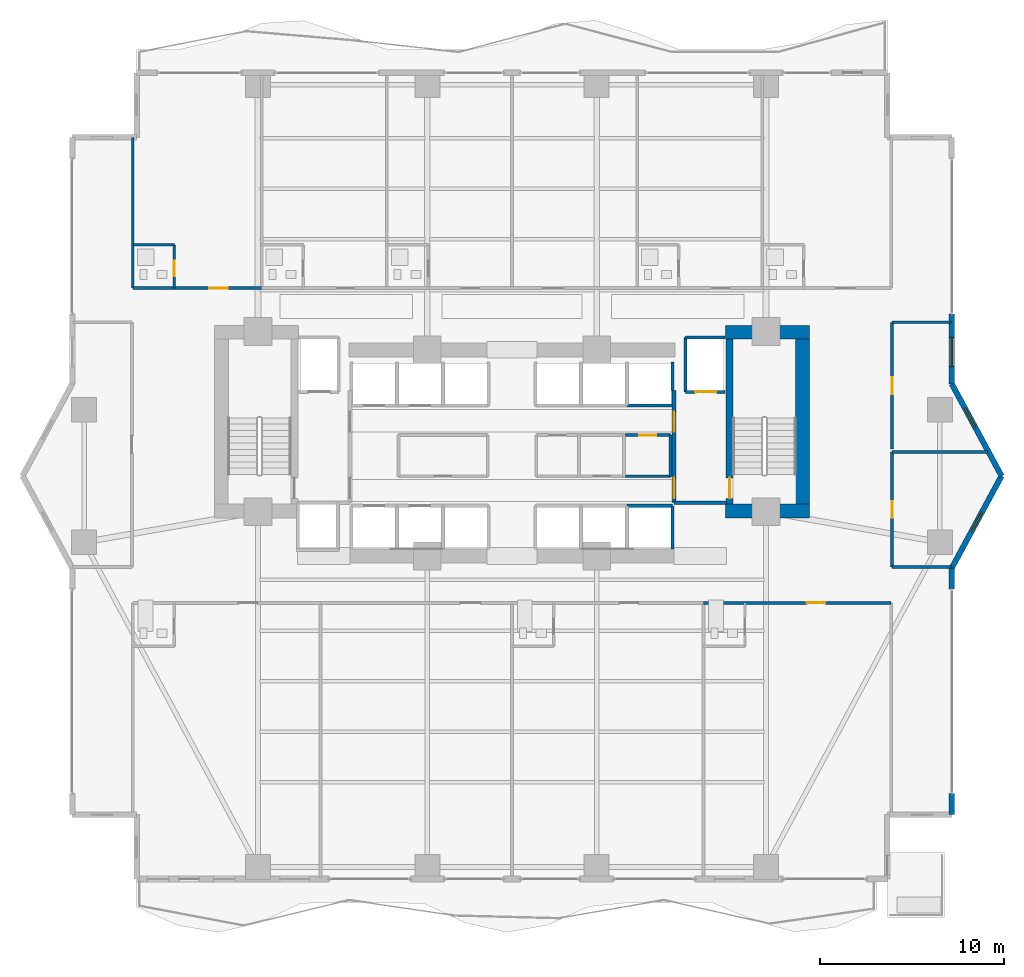
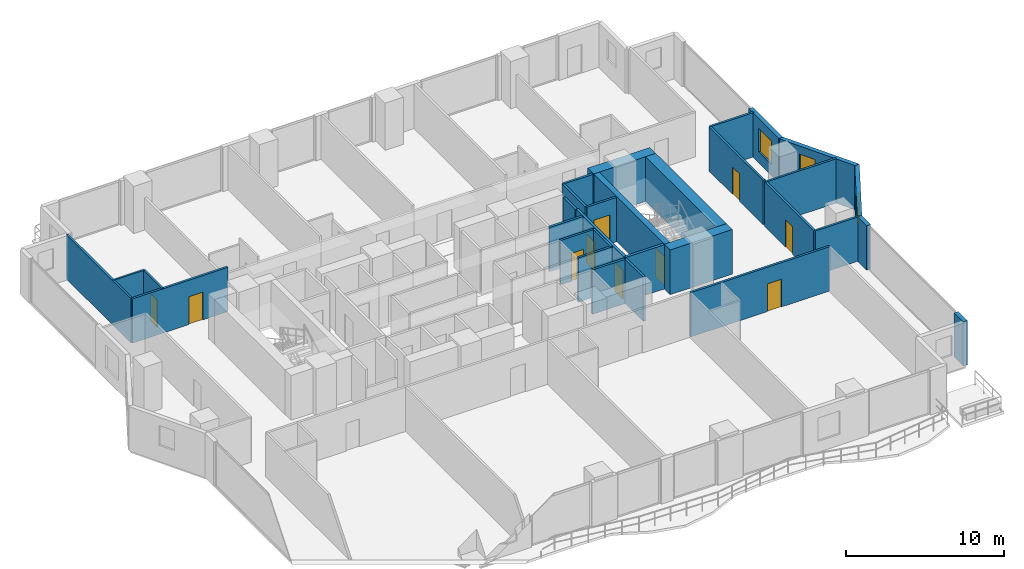
# One storey, part 23 of 30: 31 walls, 10 doors, 3 windows, 13 openings.
"""IFC4 building model written with IfcOpenShell, lengths in metres."""

from ifc_helpers import new_model, si_unit, direction, frame, frame_2d, origin, place, context, subcontext, project, spatial, rectangle, extrude, material, layer, layer_set, type_object, element, fill, save


model = new_model("IFC4")

# Units and contexts
model_context = context("Model", 3, precision=1e-05, world=origin(), true_north=direction((0.0, 1.0)))
body_context = subcontext(model_context, "Body", "Model", "MODEL_VIEW")
ifc_project = project(units=[si_unit("LENGTHUNIT", "METRE"), si_unit("AREAUNIT", "SQUARE_METRE"), si_unit("VOLUMEUNIT", "CUBIC_METRE"), si_unit("PLANEANGLEUNIT", "RADIAN"), si_unit("MASSUNIT", "GRAM", prefix="KILO")], contexts=[model_context])

# Site, building, storey
site_placement = place(None, origin())
site = spatial("IfcSite", under=ifc_project, at=site_placement, CompositionType="ELEMENT")
building_placement = place(site_placement, origin())
building = spatial("IfcBuilding", under=site, at=building_placement, Name="Zuhayl Quay Hotel", CompositionType="ELEMENT")
storey_placement = place(building_placement, frame((0.0, 0.0, 128.5)))
storey = spatial("IfcBuildingStorey", under=building, at=storey_placement, Name="L32", CompositionType="ELEMENT", Elevation=128.5)

# Walls
ifc_material_1 = material(Name="Concrete C60/75", Category="concrete")
ifc_layer_1 = layer(ifc_material_1, 0.75, Name="Concrete C60/75", Category="concrete")
ifc_layer_set_1 = layer_set([ifc_layer_1], Name="Concrete C60/75")
wall_type_1 = type_object("IfcWallType", Name="WL_CORE_750", PredefinedType="SHEAR", material=ifc_layer_set_1)
wall_1_placement = place(storey_placement, frame((11.60009765625, 14.304931640625, 0.0), z_axis=(0.0, 0.0, 1.0), x_axis=(1.0, 0.0, 0.0)))
element("IfcWall", 1, at=wall_1_placement, inside=storey, type_object=wall_type_1, Name="L32 Core Shear Wall CW_NE", PredefinedType="SHEAR", context=body_context, shape_type="SweptSolid", body=[
    extrude(rectangle(XDim=4.559814453125, YDim=0.75, at=frame_2d((2.27978515625, 0.0))), origin(), (0.0, 0.0, 1.0), 3.4599609375),
])
wall_2_placement = place(storey_placement, frame((15.784912109375, 4.969970703125, 0.0), z_axis=(0.0, 0.0, 1.0), x_axis=(0.0, 1.0, 0.0)))
element("IfcWall", 2, at=wall_2_placement, inside=storey, type_object=wall_type_1, Name="L32 Core Shear Wall CW_E", PredefinedType="SHEAR", context=body_context, shape_type="SweptSolid", body=[
    extrude(rectangle(XDim=8.9599609375, YDim=0.75, at=frame_2d((4.47998046875, 0.0))), origin(), (0.0, 0.0, 1.0), 3.4599609375),
])
wall_3_placement = place(storey_placement, frame((11.60009765625, 4.594970703125, 0.0), z_axis=(0.0, 0.0, 1.0), x_axis=(1.0, 0.0, 0.0)))
element("IfcWall", 3, at=wall_3_placement, inside=storey, type_object=wall_type_1, Name="L32 Core Shear Wall CW_SE", PredefinedType="SHEAR", context=body_context, shape_type="SweptSolid", body=[
    extrude(rectangle(XDim=4.559814453125, YDim=0.75, at=frame_2d((2.27978515625, 0.0))), origin(), (0.0, 0.0, 1.0), 3.4599609375),
])

# Wall, opening, window
ifc_material_2 = material(Name="Precast concrete C45/55", Category="concrete")
ifc_layer_2 = layer(ifc_material_2, 0.300048828125, Name="Precast concrete C45/55", Category="concrete")
ifc_layer_set_2 = layer_set([ifc_layer_2], Name="Precast concrete C45/55")
wall_type_2 = type_object("IfcWallType", Name="WL_EXT_300", PredefinedType="STANDARD", material=ifc_layer_set_2)
wall_4_placement = place(storey_placement, frame((23.89990234375, 15.300048828125, 0.0), z_axis=(0.0, 0.0, 1.0), x_axis=(0.0, -1.0, 0.0)))
wall_4 = element("IfcWall", 4, at=wall_4_placement, inside=storey, type_object=wall_type_2, Name="L32 Exterior Precast Wall ENV_L32_E11_EW2", PredefinedType="STANDARD", context=body_context, shape_type="SweptSolid", body=[
    extrude(rectangle(XDim=3.800048828125, YDim=0.300048828125, at=frame_2d((1.89990234375, 0.0))), origin(), (0.0, 0.0, 1.0), 3.429931640625),
])
opening_1_placement = place(wall_4_placement, frame((1.264892578125, 0.0, 0.85009765625)))
opening_1 = element("IfcOpeningElement", 5, at=opening_1_placement, cuts=wall_4, Name="Opening W01", PredefinedType="OPENING", context=body_context, shape_type="SweptSolid", body=[
    extrude(rectangle(XDim=1.60009765625, YDim=1.800048828125, at=frame_2d((0.800048828125, 0.89990234375))), frame((0.0, 0.159912109375, 0.0), z_axis=(0.0, -1.0, 0.0), x_axis=(1.0, 0.0, 0.0)), (0.0, 0.0, 1.0), 0.320068359375),
])
ifc_material_3 = material(Name="Dark Ceramic-Fritted Solar Glass", Category="glass")
window_type_1 = type_object("IfcWindowType", Name="WN_OPERABLE_1600", PartitioningType="DOUBLE_PANEL_VERTICAL", PredefinedType="WINDOW", material=ifc_material_3)
window_1_placement = place(opening_1_placement, origin())
window_1 = element("IfcWindow", 6, at=window_1_placement, inside=storey, type_object=window_type_1, Name="L32 Operable Facade Window 2-1", OverallHeight=1.800048828125, OverallWidth=1.60009765625, PartitioningType="SINGLE_PANEL", PredefinedType="WINDOW", context=body_context, shape_type="SweptSolid", body=[
    extrude(rectangle(XDim=1.60009765625, YDim=1.800048828125, at=frame_2d((0.800048828125, 0.89990234375))), frame((0.0, 0.030029296875, 0.0), z_axis=(0.0, -1.0, 0.0), x_axis=(1.0, 0.0, 0.0)), (0.0, 0.0, 1.0), 0.06005859375),
])
fill(opening_1, window_1)

wall_5_placement = place(storey_placement, frame((23.89990234375, 11.5, 0.0), z_axis=(0.0, 0.0, 1.0), x_axis=(0.475175525499, -0.879891027325, 0.0)))
wall_5 = element("IfcWall", 7, at=wall_5_placement, inside=storey, type_object=wall_type_2, Name="L32 Exterior Precast Wall ENV_L32_EW12", PredefinedType="STANDARD", context=body_context, shape_type="SweptSolid", body=[
    extrude(rectangle(XDim=5.6826171875, YDim=0.300048828125, at=frame_2d((2.84130859375, 0.0))), origin(), (0.0, 0.0, 1.0), 3.429931640625),
])
opening_2_placement = place(wall_5_placement, frame((1.503173828125, 0.0, 1.25)))
opening_2 = element("IfcOpeningElement", 8, at=opening_2_placement, cuts=wall_5, Name="Opening W01N", PredefinedType="OPENING", context=body_context, shape_type="SweptSolid", body=[
    extrude(rectangle(XDim=1.14990234375, YDim=1.550048828125, at=frame_2d((0.574951171875, 0.77490234375))), frame((0.0, 0.159912109375, 0.0), z_axis=(0.0, -1.0, 0.0), x_axis=(1.0, 0.0, 0.0)), (0.0, 0.0, 1.0), 0.320068359375),
])
window_type_2 = type_object("IfcWindowType", Name="WN_NOTCH_1350", PartitioningType="SINGLE_PANEL", PredefinedType="WINDOW", material=ifc_material_3)
window_2_placement = place(opening_2_placement, origin())
window_2 = element("IfcWindow", 9, at=window_2_placement, inside=storey, type_object=window_type_2, Name="L32 Corner Notch Window 12", OverallHeight=1.550048828125, OverallWidth=1.14990234375, PartitioningType="SINGLE_PANEL", PredefinedType="WINDOW", context=body_context, shape_type="SweptSolid", body=[
    extrude(rectangle(XDim=1.14990234375, YDim=1.550048828125, at=frame_2d((0.574951171875, 0.77490234375))), frame((0.0, 0.030029296875, 0.0), z_axis=(0.0, -1.0, 0.0), x_axis=(1.0, 0.0, 0.0)), (0.0, 0.0, 1.0), 0.06005859375),
])
fill(opening_2, window_2)

wall_6_placement = place(storey_placement, frame((26.60009765625, 6.5, 0.0), z_axis=(0.0, 0.0, 1.0), x_axis=(-0.475175525499, -0.879891027325, 0.0)))
wall_6 = element("IfcWall", 10, at=wall_6_placement, inside=storey, type_object=wall_type_2, Name="L32 Exterior Precast Wall ENV_L32_EW13", PredefinedType="STANDARD", context=body_context, shape_type="SweptSolid", body=[
    extrude(rectangle(XDim=5.6826171875, YDim=0.300048828125, at=frame_2d((2.84130859375, 0.0))), origin(), (0.0, 0.0, 1.0), 3.429931640625),
])
opening_3_placement = place(wall_6_placement, frame((2.2421875, 0.0, 1.25)))
opening_3 = element("IfcOpeningElement", 11, at=opening_3_placement, cuts=wall_6, Name="Opening W01N", PredefinedType="OPENING", context=body_context, shape_type="SweptSolid", body=[
    extrude(rectangle(XDim=1.14990234375, YDim=1.550048828125, at=frame_2d((0.574951171875, 0.77490234375))), frame((0.0, 0.159912109375, 0.0), z_axis=(0.0, -1.0, 0.0), x_axis=(1.0, 0.0, 0.0)), (0.0, 0.0, 1.0), 0.320068359375),
])
window_3_placement = place(opening_3_placement, origin())
window_3 = element("IfcWindow", 12, at=window_3_placement, inside=storey, type_object=window_type_2, Name="L32 Corner Notch Window 13", OverallHeight=1.550048828125, OverallWidth=1.14990234375, PartitioningType="SINGLE_PANEL", PredefinedType="WINDOW", context=body_context, shape_type="SweptSolid", body=[
    extrude(rectangle(XDim=1.14990234375, YDim=1.550048828125, at=frame_2d((0.574951171875, 0.77490234375))), frame((0.0, 0.030029296875, 0.0), z_axis=(0.0, -1.0, 0.0), x_axis=(1.0, 0.0, 0.0)), (0.0, 0.0, 1.0), 0.06005859375),
])
fill(opening_3, window_3)

# Walls
for number, where, z_axis, x_axis, name in (
    (13, (23.89990234375, 1.5, 0.0), (0.0, 0.0, 1.0), (0.0, -1.0, 0.0), "L32 Exterior Precast Wall ENV_L32_E14_EW1"),
    (14, (23.89990234375, -10.75, 0.0), (0.0, 0.0, 1.0), (0.0, -1.0, 0.0), "L32 Exterior Precast Wall ENV_L32_E14_EW2"),
):
    element("IfcWall", number, at=place(storey_placement, frame(where, z_axis=z_axis, x_axis=x_axis)), inside=storey, type_object=wall_type_2, Name=name, PredefinedType="STANDARD", context=body_context, shape_type="SweptSolid", body=[
        extrude(rectangle(XDim=1.14990234375, YDim=0.300048828125, at=frame_2d((0.574951171875, 0.0))), origin(), (0.0, 0.0, 1.0), 3.429931640625),
    ])

# Wall, opening, door
ifc_material_4 = material(Name="Acoustic Gypsum Partition STC-58")
ifc_layer_3 = layer(ifc_material_4, 0.14990234375, Name="Acoustic Gypsum Partition STC-58")
ifc_layer_set_3 = layer_set([ifc_layer_3], Name="Acoustic Gypsum Partition STC-58")
wall_type_3 = type_object("IfcWallType", Name="WL_PART_150", PredefinedType="PARTITIONING", material=ifc_layer_set_3)
wall_7_placement = place(storey_placement, frame((6.139892578125, 8.719970703125, 0.0), z_axis=(0.0, 0.0, 1.0), x_axis=(1.0, 0.0, 0.0)))
wall_7 = element("IfcWall", 15, at=wall_7_placement, inside=storey, type_object=wall_type_3, Name="L32 Partition IW_L32_CORE_E3_N", PredefinedType="PARTITIONING", context=body_context, shape_type="SweptSolid", body=[
    extrude(rectangle(XDim=2.47021484375, YDim=0.14990234375, at=frame_2d((1.235107421875, 0.0))), origin(), (0.0, 0.0, 1.0), 3.429931640625),
])
opening_4_placement = place(wall_7_placement, frame((0.784912109375, 0.0, 0.0)))
opening_4 = element("IfcOpeningElement", 16, at=opening_4_placement, cuts=wall_7, Name="Opening D06", PredefinedType="OPENING", context=body_context, shape_type="SweptSolid", body=[
    extrude(rectangle(XDim=0.89990234375, YDim=2.14990234375, at=frame_2d((0.449951171875, 1.074951171875))), frame((0.0, 0.0849609375, 0.0), z_axis=(0.0, -1.0, 0.0), x_axis=(1.0, 0.0, 0.0)), (0.0, 0.0, 1.0), 0.169921875),
])
ifc_material_5 = material(Name="Steel ASTM A992 Grade 50", Category="steel")
door_type_1 = type_object("IfcDoorType", Name="DR_INT_900", OperationType="NOTDEFINED", PredefinedType="DOOR", material=ifc_material_5)
door_1_placement = place(opening_4_placement, origin())
door_1 = element("IfcDoor", 17, at=door_1_placement, inside=storey, type_object=door_type_1, Name="L32 Janitor and Cleaners Store Door", OperationType="SINGLE_SWING_RIGHT", OverallHeight=2.14990234375, OverallWidth=0.89990234375, PredefinedType="DOOR", context=body_context, shape_type="SweptSolid", body=[
    extrude(rectangle(XDim=0.89990234375, YDim=2.14990234375, at=frame_2d((0.449951171875, 1.074951171875))), frame((0.0, 0.02490234375, 0.0), z_axis=(0.0, -1.0, 0.0), x_axis=(1.0, 0.0, 0.0)), (0.0, 0.0, 1.0), 0.050048828125),
])
fill(opening_4, door_1)

# Walls
wall_8_placement = place(storey_placement, frame((6.139892578125, 6.47998046875, 0.0), z_axis=(0.0, 0.0, 1.0), x_axis=(1.0, 0.0, 0.0)))
element("IfcWall", 18, at=wall_8_placement, inside=storey, type_object=wall_type_3, Name="L32 Partition IW_L32_CORE_E3_S", PredefinedType="PARTITIONING", context=body_context, shape_type="SweptSolid", body=[
    extrude(rectangle(XDim=2.47021484375, YDim=0.14990234375, at=frame_2d((1.235107421875, 0.0))), origin(), (0.0, 0.0, 1.0), 3.429931640625),
])
wall_9_placement = place(storey_placement, frame((8.610107421875, 6.47998046875, 0.0), z_axis=(0.0, 0.0, 1.0), x_axis=(0.0, 1.0, 0.0)))
element("IfcWall", 19, at=wall_9_placement, inside=storey, type_object=wall_type_3, Name="L32 Partition IW_L32_CORE_E3_E", PredefinedType="PARTITIONING", context=body_context, shape_type="SweptSolid", body=[
    extrude(rectangle(XDim=2.239990234375, YDim=0.14990234375, at=frame_2d((1.1201171875, 0.0))), origin(), (0.0, 0.0, 1.0), 3.429931640625),
])
wall_10_placement = place(storey_placement, frame((-20.60009765625, 16.699951171875, 0.0), z_axis=(0.0, 0.0, 1.0), x_axis=(0.0, 1.0, 0.0)))
element("IfcWall", 20, at=wall_10_placement, inside=storey, type_object=wall_type_3, Name="L32 Partition IW_L32_NU01_W", PredefinedType="PARTITIONING", context=body_context, shape_type="SweptSolid", body=[
    extrude(rectangle(XDim=8.199951171875, YDim=0.14990234375, at=frame_2d((4.10009765625, 0.0))), origin(), (0.0, 0.0, 1.0), 3.429931640625),
])
wall_11_placement = place(storey_placement, frame((20.64990234375, 1.550048828125, 0.0), z_axis=(0.0, 0.0, 1.0), x_axis=(1.0, 0.0, 0.0)))
element("IfcWall", 21, at=wall_11_placement, inside=storey, type_object=wall_type_3, Name="L32 Partition IW_L32_HK_MAIN_S", PredefinedType="PARTITIONING", context=body_context, shape_type="SweptSolid", body=[
    extrude(rectangle(XDim=3.217041015625, YDim=0.14990234375, at=frame_2d((1.6083984375, 0.0))), origin(), (0.0, 0.0, 1.0), 3.429931640625),
])
wall_12_placement = place(storey_placement, frame((20.64990234375, 7.800048828125, 0.0), z_axis=(0.0, 0.0, 1.0), x_axis=(1.0, 0.0, 0.0)))
element("IfcWall", 22, at=wall_12_placement, inside=storey, type_object=wall_type_3, Name="L32 Partition IW_L32_HK_MAIN_N", PredefinedType="PARTITIONING", context=body_context, shape_type="SweptSolid", body=[
    extrude(rectangle(XDim=5.18798828125, YDim=0.14990234375, at=frame_2d((2.593994140625, 0.0))), origin(), (0.0, 0.0, 1.0), 3.429931640625),
])
wall_13_placement = place(storey_placement, frame((20.64990234375, 14.85009765625, 0.0), z_axis=(0.0, 0.0, 1.0), x_axis=(1.0, 0.0, 0.0)))
element("IfcWall", 23, at=wall_13_placement, inside=storey, type_object=wall_type_3, Name="L32 Partition IW_L32_EFLK_2_N", PredefinedType="PARTITIONING", context=body_context, shape_type="SweptSolid", body=[
    extrude(rectangle(XDim=3.190185546875, YDim=0.14990234375, at=frame_2d((1.59521484375, 0.0))), origin(), (0.0, 0.0, 1.0), 3.429931640625),
])

# Wall, opening, door
ifc_layer_4 = layer(ifc_material_4, 0.159912109375, Name="Acoustic Gypsum Partition STC-58")
ifc_layer_set_4 = layer_set([ifc_layer_4], Name="Acoustic Gypsum Partition STC-58")
wall_type_4 = type_object("IfcWallType", Name="WL_PART_CORR_160", PredefinedType="PARTITIONING", material=ifc_layer_set_4)
wall_14_placement = place(storey_placement, frame((-20.60009765625, 16.699951171875, 0.0), z_axis=(0.0, 0.0, 1.0), x_axis=(1.0, 0.0, 0.0)))
wall_14 = element("IfcWall", 24, at=wall_14_placement, inside=storey, type_object=wall_type_4, Name="L32 Partition IW_L32_NU01_COR", PredefinedType="PARTITIONING", context=body_context, shape_type="SweptSolid", body=[
    extrude(rectangle(XDim=7.0, YDim=0.159912109375, at=frame_2d((3.5, 0.0))), origin(), (0.0, 0.0, 1.0), 3.429931640625),
])
opening_5_placement = place(wall_14_placement, frame((4.14990234375, 0.0, 0.0)))
opening_5 = element("IfcOpeningElement", 25, at=opening_5_placement, cuts=wall_14, Name="Opening D03L", PredefinedType="OPENING", context=body_context, shape_type="SweptSolid", body=[
    extrude(rectangle(XDim=1.0, YDim=2.14990234375, at=frame_2d((0.5, 1.074951171875))), frame((0.0, 0.08984375, 0.0), z_axis=(0.0, -1.0, 0.0), x_axis=(1.0, 0.0, 0.0)), (0.0, 0.0, 1.0), 0.179931640625),
])
ifc_material_6 = material(Name="Solid Walnut Acoustic Fire Door")
door_type_2 = type_object("IfcDoorType", Name="DR_SUITE_1000", OperationType="NOTDEFINED", PredefinedType="DOOR", material=ifc_material_6)
door_2_placement = place(opening_5_placement, origin())
door_2 = element("IfcDoor", 26, at=door_2_placement, inside=storey, type_object=door_type_2, Name="L32 Deluxe Gulf Junior Suite L32-01 Entrance Door", OperationType="SINGLE_SWING_RIGHT", OverallHeight=2.14990234375, OverallWidth=1.0, PredefinedType="DOOR", context=body_context, shape_type="SweptSolid", body=[
    extrude(rectangle(XDim=1.0, YDim=2.14990234375, at=frame_2d((0.5, 1.074951171875))), frame((0.0, 0.02490234375, 0.0), z_axis=(0.0, -1.0, 0.0), x_axis=(1.0, 0.0, 0.0)), (0.0, 0.0, 1.0), 0.050048828125),
])
fill(opening_5, door_2)

wall_15_placement = place(storey_placement, frame((10.39990234375, -0.39990234375, 0.0), z_axis=(0.0, 0.0, 1.0), x_axis=(1.0, 0.0, 0.0)))
wall_15 = element("IfcWall", 27, at=wall_15_placement, inside=storey, type_object=wall_type_4, Name="L32 Partition IW_L32_SU04_COR", PredefinedType="PARTITIONING", context=body_context, shape_type="SweptSolid", body=[
    extrude(rectangle(XDim=10.2001953125, YDim=0.159912109375, at=frame_2d((5.10009765625, 0.0))), origin(), (0.0, 0.0, 1.0), 3.429931640625),
])
opening_6_placement = place(wall_15_placement, frame((5.625, 0.0, 0.0)))
opening_6 = element("IfcOpeningElement", 28, at=opening_6_placement, cuts=wall_15, Name="Opening D03L", PredefinedType="OPENING", context=body_context, shape_type="SweptSolid", body=[
    extrude(rectangle(XDim=1.0, YDim=2.14990234375, at=frame_2d((0.5, 1.074951171875))), frame((0.0, 0.08984375, 0.0), z_axis=(0.0, -1.0, 0.0), x_axis=(1.0, 0.0, 0.0)), (0.0, 0.0, 1.0), 0.179931640625),
])
door_3_placement = place(opening_6_placement, origin())
door_3 = element("IfcDoor", 29, at=door_3_placement, inside=storey, type_object=door_type_2, Name="L32 City-View Junior Suite L32-04 Entrance Door", OperationType="SINGLE_SWING_RIGHT", OverallHeight=2.14990234375, OverallWidth=1.0, PredefinedType="DOOR", context=body_context, shape_type="SweptSolid", body=[
    extrude(rectangle(XDim=1.0, YDim=2.14990234375, at=frame_2d((0.5, 1.074951171875))), frame((0.0, 0.02490234375, 0.0), z_axis=(0.0, -1.0, 0.0), x_axis=(1.0, 0.0, 0.0)), (0.0, 0.0, 1.0), 0.050048828125),
])
fill(opening_6, door_3)

wall_16_placement = place(storey_placement, frame((20.64990234375, 1.550048828125, 0.0), z_axis=(0.0, 0.0, 1.0), x_axis=(0.0, 1.0, 0.0)))
wall_16 = element("IfcWall", 30, at=wall_16_placement, inside=storey, type_object=wall_type_4, Name="L32 Partition IW_L32_HK_MAIN_W", PredefinedType="PARTITIONING", context=body_context, shape_type="SweptSolid", body=[
    extrude(rectangle(XDim=6.25, YDim=0.159912109375, at=frame_2d((3.125, 0.0))), origin(), (0.0, 0.0, 1.0), 3.429931640625),
])
opening_7_placement = place(wall_16_placement, frame((2.6650390625, 0.0, 0.0)))
opening_7 = element("IfcOpeningElement", 31, at=opening_7_placement, cuts=wall_16, Name="Opening D05", PredefinedType="OPENING", context=body_context, shape_type="SweptSolid", body=[
    extrude(rectangle(XDim=0.919921875, YDim=2.1201171875, at=frame_2d((0.4599609375, 1.06005859375))), frame((0.0, 0.08984375, 0.0), z_axis=(0.0, -1.0, 0.0), x_axis=(1.0, 0.0, 0.0)), (0.0, 0.0, 1.0), 0.179931640625),
])
door_type_3 = type_object("IfcDoorType", Name="DR_INT_950", OperationType="NOTDEFINED", PredefinedType="DOOR", material=ifc_material_6)
door_4_placement = place(opening_7_placement, origin())
door_4 = element("IfcDoor", 32, at=door_4_placement, inside=storey, type_object=door_type_3, Name="L32 Housekeeping and Linen Room Door", OperationType="SINGLE_SWING_LEFT", OverallHeight=2.1201171875, OverallWidth=0.919921875, PredefinedType="DOOR", context=body_context, shape_type="SweptSolid", body=[
    extrude(rectangle(XDim=0.919921875, YDim=2.1201171875, at=frame_2d((0.4599609375, 1.06005859375))), frame((0.0, 0.02490234375, 0.0), z_axis=(0.0, -1.0, 0.0), x_axis=(1.0, 0.0, 0.0)), (0.0, 0.0, 1.0), 0.050048828125),
])
fill(opening_7, door_4)

wall_17_placement = place(storey_placement, frame((20.64990234375, 7.9599609375, 0.0), z_axis=(0.0, 0.0, 1.0), x_axis=(0.0, 1.0, 0.0)))
wall_17 = element("IfcWall", 33, at=wall_17_placement, inside=storey, type_object=wall_type_4, Name="L32 Partition IW_L32_EFLK_2_W", PredefinedType="PARTITIONING", context=body_context, shape_type="SweptSolid", body=[
    extrude(rectangle(XDim=6.89013671875, YDim=0.159912109375, at=frame_2d((3.445068359375, 0.0))), origin(), (0.0, 0.0, 1.0), 3.429931640625),
])
opening_8_placement = place(wall_17_placement, frame((2.985107421875, 0.0, 0.0)))
opening_8 = element("IfcOpeningElement", 34, at=opening_8_placement, cuts=wall_17, Name="Opening D05", PredefinedType="OPENING", context=body_context, shape_type="SweptSolid", body=[
    extrude(rectangle(XDim=0.919921875, YDim=2.1201171875, at=frame_2d((0.4599609375, 1.06005859375))), frame((0.0, 0.08984375, 0.0), z_axis=(0.0, -1.0, 0.0), x_axis=(1.0, 0.0, 0.0)), (0.0, 0.0, 1.0), 0.179931640625),
])
door_5_placement = place(opening_8_placement, origin())
door_5 = element("IfcDoor", 35, at=door_5_placement, inside=storey, type_object=door_type_3, Name="L32 Floor Beverage and Ice Pantry Door", OperationType="SINGLE_SWING_RIGHT", OverallHeight=2.1201171875, OverallWidth=0.919921875, PredefinedType="DOOR", context=body_context, shape_type="SweptSolid", body=[
    extrude(rectangle(XDim=0.919921875, YDim=2.1201171875, at=frame_2d((0.4599609375, 1.06005859375))), frame((0.0, 0.02490234375, 0.0), z_axis=(0.0, -1.0, 0.0), x_axis=(1.0, 0.0, 0.0)), (0.0, 0.0, 1.0), 0.050048828125),
])
fill(opening_8, door_5)

ifc_material_7 = material(Name="Moisture-Resistant Sanitarychase Gypsum")
ifc_layer_5 = layer(ifc_material_7, 0.135009765625, Name="Moisture-Resistant Sanitarychase Gypsum")
ifc_layer_set_5 = layer_set([ifc_layer_5], Name="Moisture-Resistant Sanitarychase Gypsum")
wall_type_5 = type_object("IfcWallType", Name="WL_PART_PLUMB_150", PredefinedType="PLUMBINGWALL", material=ifc_layer_set_5)
wall_18_placement = place(storey_placement, frame((-18.340087890625, 16.699951171875, 0.0), z_axis=(0.0, 0.0, 1.0), x_axis=(0.0, 1.0, 0.0)))
wall_18 = element("IfcWall", 36, at=wall_18_placement, inside=storey, type_object=wall_type_5, Name="L32 Partition IW_L32_NU01_BE", PredefinedType="PLUMBINGWALL", context=body_context, shape_type="SweptSolid", body=[
    extrude(rectangle(XDim=2.360107421875, YDim=0.135009765625, at=frame_2d((1.18017578125, 0.0))), origin(), (0.0, 0.0, 1.0), 3.429931640625),
])
opening_9_placement = place(wall_18_placement, frame((0.64990234375, 0.0, 0.0)))
opening_9 = element("IfcOpeningElement", 37, at=opening_9_placement, cuts=wall_18, Name="Opening D04", PredefinedType="OPENING", context=body_context, shape_type="SweptSolid", body=[
    extrude(rectangle(XDim=0.85009765625, YDim=2.10009765625, at=frame_2d((0.425048828125, 1.050048828125))), frame((0.0, 0.077392578125, 0.0), z_axis=(0.0, -1.0, 0.0), x_axis=(1.0, 0.0, 0.0)), (0.0, 0.0, 1.0), 0.155029296875),
])
ifc_material_8 = material(Name="Moisture-Resistant Walnut Veneer")
door_type_4 = type_object("IfcDoorType", Name="DR_BATH_850", OperationType="NOTDEFINED", PredefinedType="DOOR", material=ifc_material_8)
door_6_placement = place(opening_9_placement, origin())
door_6 = element("IfcDoor", 38, at=door_6_placement, inside=storey, type_object=door_type_4, Name="L32 Deluxe Gulf Junior Suite L32-01 En-Suite Door", OperationType="SINGLE_SWING_LEFT", OverallHeight=2.10009765625, OverallWidth=0.85009765625, PredefinedType="DOOR", context=body_context, shape_type="SweptSolid", body=[
    extrude(rectangle(XDim=0.85009765625, YDim=2.10009765625, at=frame_2d((0.425048828125, 1.050048828125))), frame((0.0, 0.02490234375, 0.0), z_axis=(0.0, -1.0, 0.0), x_axis=(1.0, 0.0, 0.0)), (0.0, 0.0, 1.0), 0.050048828125),
])
fill(opening_9, door_6)

# Wall
wall_19_placement = place(storey_placement, frame((-20.60009765625, 19.06005859375, 0.0), z_axis=(0.0, 0.0, 1.0), x_axis=(1.0, 0.0, 0.0)))
element("IfcWall", 39, at=wall_19_placement, inside=storey, type_object=wall_type_5, Name="L32 Partition IW_L32_NU01_BN", PredefinedType="PLUMBINGWALL", context=body_context, shape_type="SweptSolid", body=[
    extrude(rectangle(XDim=2.260009765625, YDim=0.135009765625, at=frame_2d((1.1298828125, 0.0))), origin(), (0.0, 0.0, 1.0), 3.429931640625),
])

# Wall, opening, door
ifc_material_9 = material(Name="Gypsum Fireboard Assembly EI-90")
ifc_layer_6 = layer(ifc_material_9, 0.1650390625, Name="Gypsum Fireboard Assembly EI-90")
ifc_layer_set_6 = layer_set([ifc_layer_6], Name="Gypsum Fireboard Assembly EI-90")
wall_type_6 = type_object("IfcWallType", Name="WL_PART_SHAFT_160", PredefinedType="PARTITIONING", material=ifc_layer_set_6)
wall_20_placement = place(storey_placement, frame((9.419921875, 11.070068359375, 0.0), z_axis=(0.0, 0.0, 1.0), x_axis=(1.0, 0.0, 0.0)))
wall_20 = element("IfcWall", 40, at=wall_20_placement, inside=storey, type_object=wall_type_6, Name="L32 Partition IW_L32_SH_FL2_F", PredefinedType="PARTITIONING", context=body_context, shape_type="SweptSolid", body=[
    extrude(rectangle(XDim=2.16015625, YDim=0.1650390625, at=frame_2d((1.080078125, 0.0))), origin(), (0.0, 0.0, 1.0), 3.429931640625),
])
opening_10_placement = place(wall_20_placement, frame((0.530029296875, 0.0, 0.0)))
opening_10 = element("IfcOpeningElement", 41, at=opening_10_placement, cuts=wall_20, Name="Opening LD2", PredefinedType="OPENING", context=body_context, shape_type="SweptSolid", body=[
    extrude(rectangle(XDim=1.14990234375, YDim=2.25, at=frame_2d((0.574951171875, 1.125))), frame((0.0, 0.092529296875, 0.0), z_axis=(0.0, -1.0, 0.0), x_axis=(1.0, 0.0, 0.0)), (0.0, 0.0, 1.0), 0.18505859375),
])
ifc_material_10 = material(Name="Brushed Stainless Steel", Category="steel")
door_type_5 = type_object("IfcDoorType", Name="DR_LIFT_FF_1100", OperationType="SLIDING_TO_LEFT", PredefinedType="DOOR", material=ifc_material_10)
door_7_placement = place(opening_10_placement, origin())
door_7 = element("IfcDoor", 42, at=door_7_placement, inside=storey, type_object=door_type_5, Name="L32 Lift FL2 Sliding Landing Door", OperationType="SLIDING_TO_LEFT", OverallHeight=2.25, OverallWidth=1.14990234375, PredefinedType="DOOR", context=body_context, shape_type="SweptSolid", body=[
    extrude(rectangle(XDim=1.14990234375, YDim=2.25, at=frame_2d((0.574951171875, 1.125))), frame((0.0, 0.02490234375, 0.0), z_axis=(0.0, -1.0, 0.0), x_axis=(1.0, 0.0, 0.0)), (0.0, 0.0, 1.0), 0.050048828125),
])
fill(opening_10, door_7)

# Walls
wall_21_placement = place(storey_placement, frame((9.419921875, 11.070068359375, 0.0), z_axis=(0.0, 0.0, 1.0), x_axis=(0.0, 1.0, 0.0)))
element("IfcWall", 43, at=wall_21_placement, inside=storey, type_object=wall_type_6, Name="L32 Partition IW_L32_SH_FL2_W", PredefinedType="PARTITIONING", context=body_context, shape_type="SweptSolid", body=[
    extrude(rectangle(XDim=2.9599609375, YDim=0.1650390625, at=frame_2d((1.47998046875, 0.0))), origin(), (0.0, 0.0, 1.0), 3.429931640625),
])
wall_22_placement = place(storey_placement, frame((9.419921875, 14.030029296875, 0.0), z_axis=(0.0, 0.0, 1.0), x_axis=(1.0, 0.0, 0.0)))
element("IfcWall", 44, at=wall_22_placement, inside=storey, type_object=wall_type_6, Name="L32 Partition IW_L32_SH_FL2_B", PredefinedType="PARTITIONING", context=body_context, shape_type="SweptSolid", body=[
    extrude(rectangle(XDim=2.16015625, YDim=0.1650390625, at=frame_2d((1.080078125, 0.0))), origin(), (0.0, 0.0, 1.0), 3.429931640625),
])
wall_23_placement = place(storey_placement, frame((6.25, 4.8798828125, 0.0), z_axis=(0.0, 0.0, 1.0), x_axis=(1.0, 0.0, 0.0)))
element("IfcWall", 45, at=wall_23_placement, inside=storey, type_object=wall_type_6, Name="L32 Partition IW_L32_SH_HP2_F", PredefinedType="PARTITIONING", context=body_context, shape_type="SweptSolid", body=[
    extrude(rectangle(XDim=2.47998046875, YDim=0.1650390625, at=frame_2d((1.239990234375, 0.0))), origin(), (0.0, 0.0, 1.0), 3.429931640625),
])
wall_24_placement = place(storey_placement, frame((8.72998046875, 2.52001953125, 0.0), z_axis=(0.0, 0.0, 1.0), x_axis=(0.0, 1.0, 0.0)))
element("IfcWall", 46, at=wall_24_placement, inside=storey, type_object=wall_type_6, Name="L32 Partition IW_L32_SH_HP2_E", PredefinedType="PARTITIONING", context=body_context, shape_type="SweptSolid", body=[
    extrude(rectangle(XDim=2.35986328125, YDim=0.1650390625, at=frame_2d((1.179931640625, 0.0))), origin(), (0.0, 0.0, 1.0), 3.429931640625),
])
wall_25_placement = place(storey_placement, frame((6.25, 10.320068359375, 0.0), z_axis=(0.0, 0.0, 1.0), x_axis=(1.0, 0.0, 0.0)))
element("IfcWall", 47, at=wall_25_placement, inside=storey, type_object=wall_type_6, Name="L32 Partition IW_L32_SH_HP4_F", PredefinedType="PARTITIONING", context=body_context, shape_type="SweptSolid", body=[
    extrude(rectangle(XDim=2.47998046875, YDim=0.1650390625, at=frame_2d((1.239990234375, 0.0))), origin(), (0.0, 0.0, 1.0), 3.429931640625),
])
wall_26_placement = place(storey_placement, frame((8.72998046875, 11.14990234375, 0.0), z_axis=(0.0, 0.0, 1.0), x_axis=(0.0, 1.0, 0.0)))
element("IfcWall", 48, at=wall_26_placement, inside=storey, type_object=wall_type_6, Name="L32 Partition IW_L32_SH_HP4_E", PredefinedType="PARTITIONING", context=body_context, shape_type="SweptSolid", body=[
    extrude(rectangle(XDim=1.530029296875, YDim=0.1650390625, at=frame_2d((0.76513671875, 0.0))), origin(), (0.0, 0.0, 1.0), 3.429931640625),
])

# Wall, openings, doors
ifc_material_11 = material(Name="Gypsum Fireboard Assembly EI-120")
ifc_layer_7 = layer(ifc_material_11, 0.199951171875, Name="Gypsum Fireboard Assembly EI-120")
ifc_layer_set_7 = layer_set([ifc_layer_7], Name="Gypsum Fireboard Assembly EI-120")
wall_type_7 = type_object("IfcWallType", Name="WL_PART_SHAFT_200", PredefinedType="PARTITIONING", material=ifc_layer_set_7)
wall_27_placement = place(storey_placement, frame((8.800048828125, 11.14990234375, 0.0), z_axis=(0.0, 0.0, 1.0), x_axis=(0.0, -1.0, 0.0)))
wall_27 = element("IfcWall", 49, at=wall_27_placement, inside=storey, type_object=wall_type_7, Name="L32 Partition IW_L32_FSAE_E_W", PredefinedType="PARTITIONING", context=body_context, shape_type="SweptSolid", body=[
    extrude(rectangle(XDim=6.099853515625, YDim=0.199951171875, at=frame_2d((3.0498046875, 0.0))), origin(), (0.0, 0.0, 1.0), 3.429931640625),
])
opening_11_placement = place(wall_27_placement, frame((1.14990234375, 0.0, 0.0)))
opening_11 = element("IfcOpeningElement", 50, at=opening_11_placement, cuts=wall_27, Name="Opening D02", PredefinedType="OPENING", context=body_context, shape_type="SweptSolid", body=[
    extrude(rectangle(XDim=1.10009765625, YDim=2.199951171875, at=frame_2d((0.550048828125, 1.10009765625))), frame((0.0, 0.10986328125, 0.0), z_axis=(0.0, -1.0, 0.0), x_axis=(1.0, 0.0, 0.0)), (0.0, 0.0, 1.0), 0.219970703125),
])
opening_12_placement = place(wall_27_placement, frame((4.75, 0.0, 0.0)))
opening_12 = element("IfcOpeningElement", 51, at=opening_12_placement, cuts=wall_27, Name="Opening D02", PredefinedType="OPENING", context=body_context, shape_type="SweptSolid", body=[
    extrude(rectangle(XDim=1.10009765625, YDim=2.199951171875, at=frame_2d((0.550048828125, 1.10009765625))), frame((0.0, 0.10986328125, 0.0), z_axis=(0.0, -1.0, 0.0), x_axis=(1.0, 0.0, 0.0)), (0.0, 0.0, 1.0), 0.219970703125),
])
door_type_6 = type_object("IfcDoorType", Name="DR_FIRE_90_1100", OperationType="NOTDEFINED", PredefinedType="DOOR", material=ifc_material_5)
door_8_placement = place(opening_11_placement, origin())
door_8 = element("IfcDoor", 52, at=door_8_placement, inside=storey, type_object=door_type_6, Name="L32 FSAE Lobby East North Entry Door", OperationType="SINGLE_SWING_LEFT", OverallHeight=2.199951171875, OverallWidth=1.10009765625, PredefinedType="DOOR", context=body_context, shape_type="SweptSolid", body=[
    extrude(rectangle(XDim=1.10009765625, YDim=2.199951171875, at=frame_2d((0.550048828125, 1.10009765625))), frame((0.0, 0.02490234375, 0.0), z_axis=(0.0, -1.0, 0.0), x_axis=(1.0, 0.0, 0.0)), (0.0, 0.0, 1.0), 0.050048828125),
])
fill(opening_11, door_8)
door_9_placement = place(opening_12_placement, origin())
door_9 = element("IfcDoor", 53, at=door_9_placement, inside=storey, type_object=door_type_6, Name="L32 FSAE Lobby East South Entry Door", OperationType="SINGLE_SWING_RIGHT", OverallHeight=2.199951171875, OverallWidth=1.10009765625, PredefinedType="DOOR", context=body_context, shape_type="SweptSolid", body=[
    extrude(rectangle(XDim=1.10009765625, YDim=2.199951171875, at=frame_2d((0.550048828125, 1.10009765625))), frame((0.0, 0.02490234375, 0.0), z_axis=(0.0, -1.0, 0.0), x_axis=(1.0, 0.0, 0.0)), (0.0, 0.0, 1.0), 0.050048828125),
])
fill(opening_12, door_9)

# Wall
wall_28_placement = place(storey_placement, frame((8.800048828125, 5.050048828125, 0.0), z_axis=(0.0, 0.0, 1.0), x_axis=(1.0, 0.0, 0.0)))
element("IfcWall", 54, at=wall_28_placement, inside=storey, type_object=wall_type_7, Name="L32 Partition IW_L32_FSAE_E_S", PredefinedType="PARTITIONING", context=body_context, shape_type="SweptSolid", body=[
    extrude(rectangle(XDim=2.849853515625, YDim=0.199951171875, at=frame_2d((1.4248046875, 0.0))), origin(), (0.0, 0.0, 1.0), 3.429931640625),
])

# Wall, opening, door
ifc_layer_8 = layer(ifc_material_1, 0.39990234375, Name="Concrete C60/75", Category="concrete")
ifc_layer_set_8 = layer_set([ifc_layer_8], Name="Concrete C60/75")
wall_type_8 = type_object("IfcWallType", Name="WL_STAIR_400", PredefinedType="SHEAR", material=ifc_layer_set_8)
wall_29_placement = place(storey_placement, frame((11.820068359375, 13.929931640625, 0.0), z_axis=(0.0, 0.0, 1.0), x_axis=(0.0, -1.0, 0.0)))
wall_29 = element("IfcWall", 55, at=wall_29_placement, inside=storey, type_object=wall_type_8, Name="L32 Core Shear Wall SW_ST2", PredefinedType="SHEAR", context=body_context, shape_type="SweptSolid", body=[
    extrude(rectangle(XDim=8.9599609375, YDim=0.39990234375, at=frame_2d((4.47998046875, 0.0))), origin(), (0.0, 0.0, 1.0), 3.4599609375),
])
opening_13_placement = place(wall_29_placement, frame((7.530029296875, 0.0, 0.0)))
opening_13 = element("IfcOpeningElement", 56, at=opening_13_placement, cuts=wall_29, Name="Opening D01", PredefinedType="OPENING", context=body_context, shape_type="SweptSolid", body=[
    extrude(rectangle(XDim=1.1201171875, YDim=2.219970703125, at=frame_2d((0.56005859375, 1.10986328125))), frame((0.0, 0.2099609375, 0.0), z_axis=(0.0, -1.0, 0.0), x_axis=(1.0, 0.0, 0.0)), (0.0, 0.0, 1.0), 0.419921875),
])
door_type_7 = type_object("IfcDoorType", Name="DR_STAIR_90_1100", OperationType="NOTDEFINED", PredefinedType="DOOR", material=ifc_material_5)
door_10_placement = place(opening_13_placement, origin())
door_10 = element("IfcDoor", 57, at=door_10_placement, inside=storey, type_object=door_type_7, Name="L32 Smokeproof Exit Stair ST2 Door", OperationType="SINGLE_SWING_RIGHT", OverallHeight=2.219970703125, OverallWidth=1.1201171875, PredefinedType="DOOR", context=body_context, shape_type="SweptSolid", body=[
    extrude(rectangle(XDim=1.1201171875, YDim=2.219970703125, at=frame_2d((0.56005859375, 1.10986328125))), frame((0.0, 0.02490234375, 0.0), z_axis=(0.0, -1.0, 0.0), x_axis=(1.0, 0.0, 0.0)), (0.0, 0.0, 1.0), 0.050048828125),
])
fill(opening_13, door_10)

save(model, "model.ifc")
